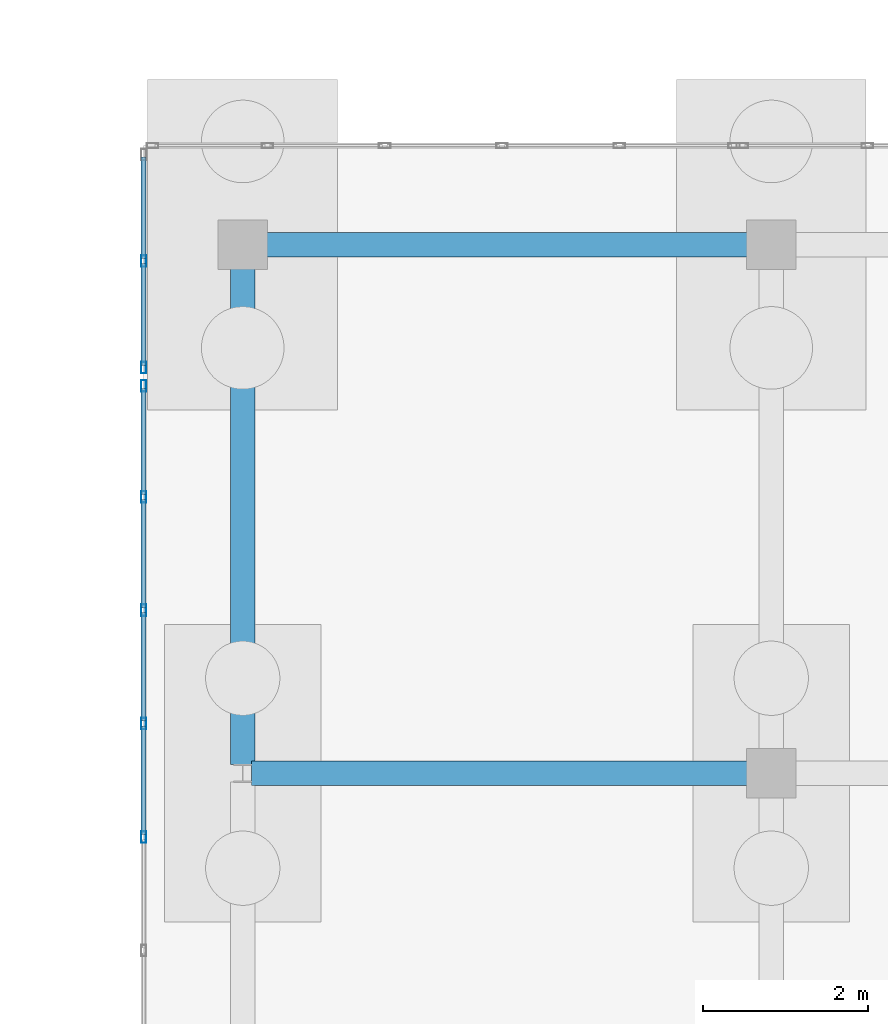
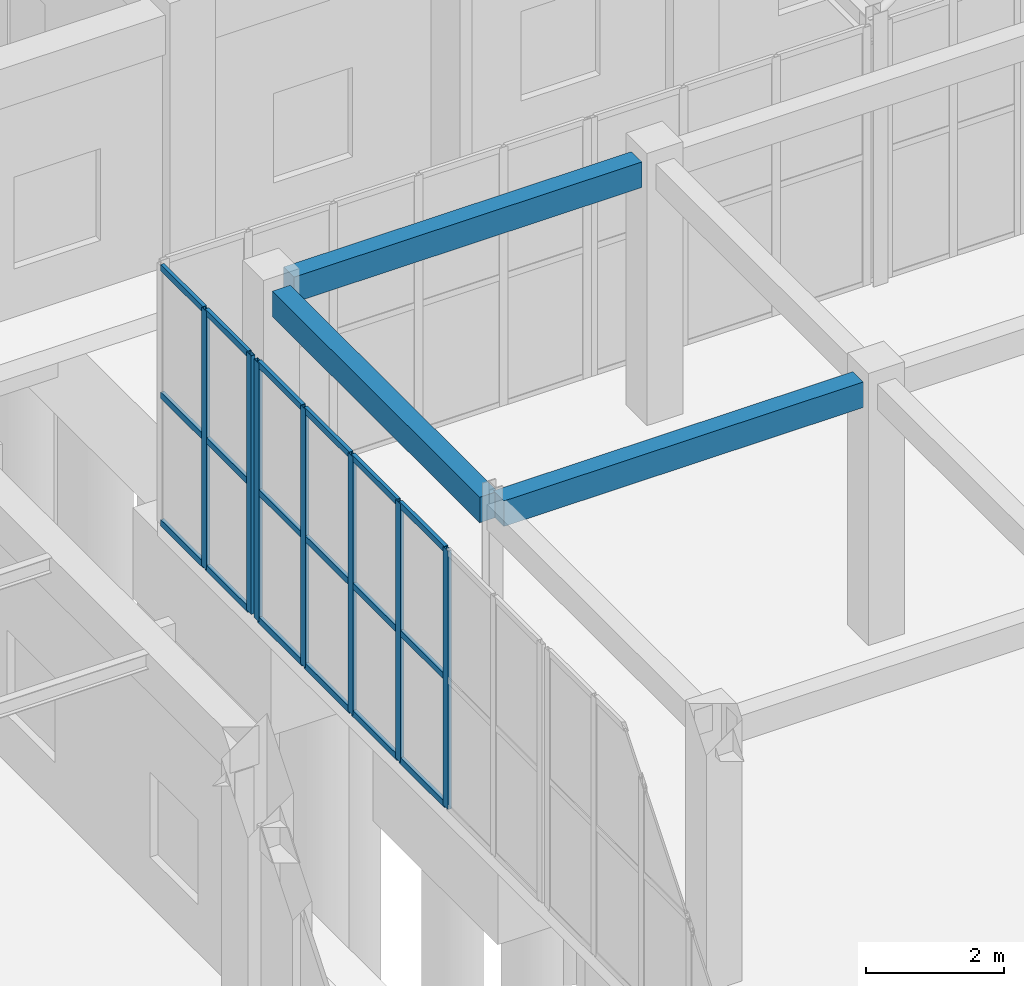
# One storey, part 88 of 192: 25 members, 3 beams, 2 elements without a shape of their own.
"""IFC4 building model written with IfcOpenShell, lengths in metres."""

from ifc_helpers import new_model, si_unit, direction, frame, origin, origin_2d, place, context, subcontext, project, spatial, rectangle, hollow_rectangle, extrude, material, layer, layer_set, material_profile, profile_set, type_object, element, aggregate, save


model = new_model("IFC4")

# Units and contexts
model_context = context("Model", 3, precision=1e-05, world=origin(), true_north=direction((0.0, 1.0)))
body_context = subcontext(model_context, "Body", "Model", "MODEL_VIEW")
ifc_project = project(units=[si_unit("LENGTHUNIT", "METRE"), si_unit("AREAUNIT", "SQUARE_METRE"), si_unit("VOLUMEUNIT", "CUBIC_METRE"), si_unit("PLANEANGLEUNIT", "RADIAN"), si_unit("MASSUNIT", "GRAM", prefix="KILO")], contexts=[model_context])

# Site, building, storey
site_placement = place(None, origin())
site = spatial("IfcSite", under=ifc_project, at=site_placement, CompositionType="ELEMENT")
building_placement = place(site_placement, origin())
building = spatial("IfcBuilding", under=site, at=building_placement, Name="Trelvath General Hospital", CompositionType="ELEMENT")
storey_placement = place(building_placement, origin())
storey = spatial("IfcBuildingStorey", under=building, at=storey_placement, Name="L00", CompositionType="ELEMENT", Elevation=0.0)

# Beams
ifc_material_1 = material(Name="Concrete C35/45", Category="concrete")
ifc_material_profile_1 = material_profile(ifc_material_1, rectangle(XDim=0.300048828125, YDim=0.449951171875, at=origin_2d()), Name="RCB300x450")
ifc_profile_set_1 = profile_set([ifc_material_profile_1], Name="Concrete C35/45")
beam_type = type_object("IfcBeamType", Name="Beam RC300x450", PredefinedType="BEAM", material=ifc_profile_set_1)
beam_1_placement = place(storey_placement, frame((48.10595703125, 79.199951171875, 4.3349609375), z_axis=(1.0, 0.0, 0.0), x_axis=(0.0, 1.0, 0.0)))
element("IfcBeam", 1, at=beam_1_placement, inside=storey, type_object=beam_type, Name="Cube Interior Ring Beam CUBE-W-T0 L00", PredefinedType="BEAM", context=body_context, shape_type="SweptSolid", body=[
    extrude(rectangle(XDim=0.300048828125, YDim=0.449951171875, at=origin_2d()), origin(), (0.0, 0.0, 1.0), 5.998046875),
])
beam_2_placement = place(storey_placement, frame((48.2958984375, 85.60009765625, 4.3349609375), z_axis=(1.0, 0.0, 0.0), x_axis=(0.0, 1.0, 0.0)))
element("IfcBeam", 2, at=beam_2_placement, inside=storey, type_object=beam_type, Name="Cube Interior Ring Beam CUBE-W-T0 L00", PredefinedType="BEAM", context=body_context, shape_type="SweptSolid", body=[
    extrude(rectangle(XDim=0.300048828125, YDim=0.449951171875, at=origin_2d()), origin(), (0.0, 0.0, 1.0), 5.80810546875),
])
beam_3_placement = place(storey_placement, frame((48.0, 79.305908203125, 4.3349609375), z_axis=(0.0, 1.0, 0.0), x_axis=(-1.0, 0.0, 0.0)))
element("IfcBeam", 3, at=beam_3_placement, inside=storey, type_object=beam_type, Name="Cube Interior Ring Beam CUBE-W-T0 L00", PredefinedType="BEAM", context=body_context, shape_type="SweptSolid", body=[
    extrude(rectangle(XDim=0.300048828125, YDim=0.449951171875, at=origin_2d()), origin(), (0.0, 0.0, 1.0), 5.998046875),
])

# Curtain wall, members
ifc_material_2 = material(Name="Anodised aluminium and low-E glass", Category="aluminium")
ifc_layer_1 = layer(ifc_material_2, 0.139892578125)
ifc_layer_set_1 = layer_set([ifc_layer_1], Name="Anodised aluminium and low-E glass")
curtain_wall_type_1 = type_object("IfcCurtainWallType", Name="CW CrystalCube 824 456 14", PredefinedType="USERDEFINED", material=ifc_layer_set_1)
curtain_wall_1_placement = place(storey_placement, origin())
curtain_wall_1 = element("IfcCurtainWall", 4, at=curtain_wall_1_placement, inside=storey, type_object=curtain_wall_type_1, Name="Crystal Cube Curtain Wall CUBE-W-T0 W6 L00", ObjectType="Unitised Glazed Curtain Wall", PredefinedType="USERDEFINED")
ifc_material_3 = material(Name="Anodised aluminium", Category="aluminium")
ifc_material_profile_2 = material_profile(ifc_material_3, hollow_rectangle(XDim=0.06005859375, YDim=0.139892578125, WallThickness=0.00390625, at=origin_2d()), Name="RHS60x140x4")
ifc_profile_set_2 = profile_set([ifc_material_profile_2], Name="Anodised aluminium")
member_type_1 = type_object("IfcMemberType", Name="CurtainMullion 60x140", PredefinedType="MULLION", material=ifc_profile_set_2)
member_1_placement = place(storey_placement, frame((46.800048828125, 78.4267578125, 0.0), z_axis=(0.0, 0.0, 1.0), x_axis=(-1.0, 0.0, 0.0)))
member_1 = element("IfcMember", 5, at=member_1_placement, type_object=member_type_1, Name="CW-102 mullion 3", PredefinedType="MULLION", context=body_context, shape_type="SweptSolid", body=[
    extrude(hollow_rectangle(XDim=0.06005859375, YDim=0.139892578125, WallThickness=0.00390625, at=origin_2d()), origin(), (0.0, 0.0, 1.0), 4.56005859375),
])
member_2_placement = place(storey_placement, frame((46.800048828125, 79.800048828125, 0.0), z_axis=(0.0, 0.0, 1.0), x_axis=(-1.0, 0.0, 0.0)))
member_2 = element("IfcMember", 6, at=member_2_placement, type_object=member_type_1, Name="CW-102 mullion 4", PredefinedType="MULLION", context=body_context, shape_type="SweptSolid", body=[
    extrude(hollow_rectangle(XDim=0.06005859375, YDim=0.139892578125, WallThickness=0.00390625, at=origin_2d()), origin(), (0.0, 0.0, 1.0), 4.56005859375),
])
member_3_placement = place(storey_placement, frame((46.800048828125, 81.17333984375, 0.0), z_axis=(0.0, 0.0, 1.0), x_axis=(-1.0, 0.0, 0.0)))
member_3 = element("IfcMember", 7, at=member_3_placement, type_object=member_type_1, Name="CW-102 mullion 5", PredefinedType="MULLION", context=body_context, shape_type="SweptSolid", body=[
    extrude(hollow_rectangle(XDim=0.06005859375, YDim=0.139892578125, WallThickness=0.00390625, at=origin_2d()), origin(), (0.0, 0.0, 1.0), 4.56005859375),
])
member_4_placement = place(storey_placement, frame((46.800048828125, 82.546630859375, 0.0), z_axis=(0.0, 0.0, 1.0), x_axis=(-1.0, 0.0, 0.0)))
member_4 = element("IfcMember", 8, at=member_4_placement, type_object=member_type_1, Name="CW-102 mullion 6", PredefinedType="MULLION", context=body_context, shape_type="SweptSolid", body=[
    extrude(hollow_rectangle(XDim=0.06005859375, YDim=0.139892578125, WallThickness=0.00390625, at=origin_2d()), origin(), (0.0, 0.0, 1.0), 4.56005859375),
])
member_5_placement = place(storey_placement, frame((46.800048828125, 83.889892578125, 0.0), z_axis=(0.0, 0.0, 1.0), x_axis=(-1.0, 0.0, 0.0)))
member_5 = element("IfcMember", 9, at=member_5_placement, type_object=member_type_1, Name="CW-102 mullion 7", PredefinedType="MULLION", context=body_context, shape_type="SweptSolid", body=[
    extrude(hollow_rectangle(XDim=0.06005859375, YDim=0.139892578125, WallThickness=0.00390625, at=origin_2d()), origin(), (0.0, 0.0, 1.0), 4.56005859375),
])

ifc_material_4 = material(Name="Anodised aluminium and low-E glass", Category="aluminium")
ifc_layer_2 = layer(ifc_material_4, 0.139892578125)
ifc_layer_set_2 = layer_set([ifc_layer_2], Name="Anodised aluminium and low-E glass")
curtain_wall_type_2 = type_object("IfcCurtainWallType", Name="CW CrystalCube 264 456 14", PredefinedType="USERDEFINED", material=ifc_layer_set_2)
curtain_wall_2_placement = place(storey_placement, origin())
curtain_wall_2 = element("IfcCurtainWall", 10, at=curtain_wall_2_placement, inside=storey, type_object=curtain_wall_type_2, Name="Crystal Cube Curtain Wall CUBE-W-T0 W7 L00", ObjectType="Unitised Glazed Curtain Wall", PredefinedType="USERDEFINED")
member_6_placement = place(storey_placement, frame((46.800048828125, 84.110107421875, 0.0), z_axis=(0.0, 0.0, 1.0), x_axis=(-1.0, 0.0, 0.0)))
member_6 = element("IfcMember", 11, at=member_6_placement, type_object=member_type_1, Name="CW-104 mullion 1", PredefinedType="MULLION", context=body_context, shape_type="SweptSolid", body=[
    extrude(hollow_rectangle(XDim=0.06005859375, YDim=0.139892578125, WallThickness=0.00390625, at=origin_2d()), origin(), (0.0, 0.0, 1.0), 4.56005859375),
])
member_7_placement = place(storey_placement, frame((46.800048828125, 85.39990234375, 0.0), z_axis=(0.0, 0.0, 1.0), x_axis=(-1.0, 0.0, 0.0)))
member_7 = element("IfcMember", 12, at=member_7_placement, type_object=member_type_1, Name="CW-104 mullion 2", PredefinedType="MULLION", context=body_context, shape_type="SweptSolid", body=[
    extrude(hollow_rectangle(XDim=0.06005859375, YDim=0.139892578125, WallThickness=0.00390625, at=origin_2d()), origin(), (0.0, 0.0, 1.0), 4.56005859375),
])

# Member
ifc_material_5 = material(Name="Anodised aluminium", Category="aluminium")
ifc_material_profile_3 = material_profile(ifc_material_5, hollow_rectangle(XDim=0.06005859375, YDim=0.110107421875, WallThickness=0.00390625, at=origin_2d()), Name="RHS60x110x4")
ifc_profile_set_3 = profile_set([ifc_material_profile_3], Name="Anodised aluminium")
member_type_2 = type_object("IfcMemberType", Name="CurtainTransom 60x110", PredefinedType="USERDEFINED", material=ifc_profile_set_3)
member_8_placement = place(storey_placement, frame((46.800048828125, 78.456787109375, 0.030029296875), z_axis=(0.0, 1.0, 0.0), x_axis=(-1.0, 0.0, 0.0)))
member_8 = element("IfcMember", 13, at=member_8_placement, type_object=member_type_2, Name="CW-102 transom 3.1", ObjectType="TRANSOM", PredefinedType="USERDEFINED", context=body_context, shape_type="SweptSolid", body=[
    extrude(hollow_rectangle(XDim=0.06005859375, YDim=0.110107421875, WallThickness=0.00390625, at=origin_2d()), origin(), (0.0, 0.0, 1.0), 1.313232421875),
])

member_9_placement = place(storey_placement, frame((46.800048828125, 78.456787109375, 2.280029296875), z_axis=(0.0, 1.0, 0.0), x_axis=(-1.0, 0.0, 0.0)))
member_9 = element("IfcMember", 14, at=member_9_placement, type_object=member_type_2, Name="CW-102 transom 3.2", ObjectType="TRANSOM", PredefinedType="USERDEFINED", context=body_context, shape_type="SweptSolid", body=[
    extrude(hollow_rectangle(XDim=0.06005859375, YDim=0.110107421875, WallThickness=0.00390625, at=origin_2d()), origin(), (0.0, 0.0, 1.0), 1.313232421875),
])

member_10_placement = place(storey_placement, frame((46.800048828125, 78.456787109375, 4.530029296875), z_axis=(0.0, 1.0, 0.0), x_axis=(-1.0, 0.0, 0.0)))
member_10 = element("IfcMember", 15, at=member_10_placement, type_object=member_type_2, Name="CW-102 transom 3.3", ObjectType="TRANSOM", PredefinedType="USERDEFINED", context=body_context, shape_type="SweptSolid", body=[
    extrude(hollow_rectangle(XDim=0.06005859375, YDim=0.110107421875, WallThickness=0.00390625, at=origin_2d()), origin(), (0.0, 0.0, 1.0), 1.313232421875),
])

member_11_placement = place(storey_placement, frame((46.800048828125, 79.830078125, 0.030029296875), z_axis=(0.0, 1.0, 0.0), x_axis=(-1.0, 0.0, 0.0)))
member_11 = element("IfcMember", 16, at=member_11_placement, type_object=member_type_2, Name="CW-102 transom 4.1", ObjectType="TRANSOM", PredefinedType="USERDEFINED", context=body_context, shape_type="SweptSolid", body=[
    extrude(hollow_rectangle(XDim=0.06005859375, YDim=0.110107421875, WallThickness=0.00390625, at=origin_2d()), origin(), (0.0, 0.0, 1.0), 1.313232421875),
])

member_12_placement = place(storey_placement, frame((46.800048828125, 79.830078125, 2.280029296875), z_axis=(0.0, 1.0, 0.0), x_axis=(-1.0, 0.0, 0.0)))
member_12 = element("IfcMember", 17, at=member_12_placement, type_object=member_type_2, Name="CW-102 transom 4.2", ObjectType="TRANSOM", PredefinedType="USERDEFINED", context=body_context, shape_type="SweptSolid", body=[
    extrude(hollow_rectangle(XDim=0.06005859375, YDim=0.110107421875, WallThickness=0.00390625, at=origin_2d()), origin(), (0.0, 0.0, 1.0), 1.313232421875),
])

member_13_placement = place(storey_placement, frame((46.800048828125, 79.830078125, 4.530029296875), z_axis=(0.0, 1.0, 0.0), x_axis=(-1.0, 0.0, 0.0)))
member_13 = element("IfcMember", 18, at=member_13_placement, type_object=member_type_2, Name="CW-102 transom 4.3", ObjectType="TRANSOM", PredefinedType="USERDEFINED", context=body_context, shape_type="SweptSolid", body=[
    extrude(hollow_rectangle(XDim=0.06005859375, YDim=0.110107421875, WallThickness=0.00390625, at=origin_2d()), origin(), (0.0, 0.0, 1.0), 1.313232421875),
])

member_14_placement = place(storey_placement, frame((46.800048828125, 81.203369140625, 0.030029296875), z_axis=(0.0, 1.0, 0.0), x_axis=(-1.0, 0.0, 0.0)))
member_14 = element("IfcMember", 19, at=member_14_placement, type_object=member_type_2, Name="CW-102 transom 5.1", ObjectType="TRANSOM", PredefinedType="USERDEFINED", context=body_context, shape_type="SweptSolid", body=[
    extrude(hollow_rectangle(XDim=0.06005859375, YDim=0.110107421875, WallThickness=0.00390625, at=origin_2d()), origin(), (0.0, 0.0, 1.0), 1.313232421875),
])

member_15_placement = place(storey_placement, frame((46.800048828125, 81.203369140625, 2.280029296875), z_axis=(0.0, 1.0, 0.0), x_axis=(-1.0, 0.0, 0.0)))
member_15 = element("IfcMember", 20, at=member_15_placement, type_object=member_type_2, Name="CW-102 transom 5.2", ObjectType="TRANSOM", PredefinedType="USERDEFINED", context=body_context, shape_type="SweptSolid", body=[
    extrude(hollow_rectangle(XDim=0.06005859375, YDim=0.110107421875, WallThickness=0.00390625, at=origin_2d()), origin(), (0.0, 0.0, 1.0), 1.313232421875),
])

member_16_placement = place(storey_placement, frame((46.800048828125, 81.203369140625, 4.530029296875), z_axis=(0.0, 1.0, 0.0), x_axis=(-1.0, 0.0, 0.0)))
member_16 = element("IfcMember", 21, at=member_16_placement, type_object=member_type_2, Name="CW-102 transom 5.3", ObjectType="TRANSOM", PredefinedType="USERDEFINED", context=body_context, shape_type="SweptSolid", body=[
    extrude(hollow_rectangle(XDim=0.06005859375, YDim=0.110107421875, WallThickness=0.00390625, at=origin_2d()), origin(), (0.0, 0.0, 1.0), 1.313232421875),
])

member_17_placement = place(storey_placement, frame((46.800048828125, 82.57666015625, 0.030029296875), z_axis=(0.0, 1.0, 0.0), x_axis=(-1.0, 0.0, 0.0)))
member_17 = element("IfcMember", 22, at=member_17_placement, type_object=member_type_2, Name="CW-102 transom 6.1", ObjectType="TRANSOM", PredefinedType="USERDEFINED", context=body_context, shape_type="SweptSolid", body=[
    extrude(hollow_rectangle(XDim=0.06005859375, YDim=0.110107421875, WallThickness=0.00390625, at=origin_2d()), origin(), (0.0, 0.0, 1.0), 1.283447265625),
])

member_18_placement = place(storey_placement, frame((46.800048828125, 82.57666015625, 2.280029296875), z_axis=(0.0, 1.0, 0.0), x_axis=(-1.0, 0.0, 0.0)))
member_18 = element("IfcMember", 23, at=member_18_placement, type_object=member_type_2, Name="CW-102 transom 6.2", ObjectType="TRANSOM", PredefinedType="USERDEFINED", context=body_context, shape_type="SweptSolid", body=[
    extrude(hollow_rectangle(XDim=0.06005859375, YDim=0.110107421875, WallThickness=0.00390625, at=origin_2d()), origin(), (0.0, 0.0, 1.0), 1.283447265625),
])

member_19_placement = place(storey_placement, frame((46.800048828125, 82.57666015625, 4.530029296875), z_axis=(0.0, 1.0, 0.0), x_axis=(-1.0, 0.0, 0.0)))
member_19 = element("IfcMember", 24, at=member_19_placement, type_object=member_type_2, Name="CW-102 transom 6.3", ObjectType="TRANSOM", PredefinedType="USERDEFINED", context=body_context, shape_type="SweptSolid", body=[
    extrude(hollow_rectangle(XDim=0.06005859375, YDim=0.110107421875, WallThickness=0.00390625, at=origin_2d()), origin(), (0.0, 0.0, 1.0), 1.283447265625),
])

aggregate(curtain_wall_1, [member_1, member_2, member_3, member_4, member_5, member_8, member_9, member_10, member_11, member_12, member_13, member_14, member_15, member_16, member_17, member_18, member_19])

member_20_placement = place(storey_placement, frame((46.800048828125, 84.139892578125, 0.030029296875), z_axis=(0.0, 1.0, 0.0), x_axis=(-1.0, 0.0, 0.0)))
member_20 = element("IfcMember", 25, at=member_20_placement, type_object=member_type_2, Name="CW-104 transom 1.1", ObjectType="TRANSOM", PredefinedType="USERDEFINED", context=body_context, shape_type="SweptSolid", body=[
    extrude(hollow_rectangle(XDim=0.06005859375, YDim=0.110107421875, WallThickness=0.00390625, at=origin_2d()), origin(), (0.0, 0.0, 1.0), 1.230224609375),
])

member_21_placement = place(storey_placement, frame((46.800048828125, 84.139892578125, 2.280029296875), z_axis=(0.0, 1.0, 0.0), x_axis=(-1.0, 0.0, 0.0)))
member_21 = element("IfcMember", 26, at=member_21_placement, type_object=member_type_2, Name="CW-104 transom 1.2", ObjectType="TRANSOM", PredefinedType="USERDEFINED", context=body_context, shape_type="SweptSolid", body=[
    extrude(hollow_rectangle(XDim=0.06005859375, YDim=0.110107421875, WallThickness=0.00390625, at=origin_2d()), origin(), (0.0, 0.0, 1.0), 1.230224609375),
])

member_22_placement = place(storey_placement, frame((46.800048828125, 84.139892578125, 4.530029296875), z_axis=(0.0, 1.0, 0.0), x_axis=(-1.0, 0.0, 0.0)))
member_22 = element("IfcMember", 27, at=member_22_placement, type_object=member_type_2, Name="CW-104 transom 1.3", ObjectType="TRANSOM", PredefinedType="USERDEFINED", context=body_context, shape_type="SweptSolid", body=[
    extrude(hollow_rectangle(XDim=0.06005859375, YDim=0.110107421875, WallThickness=0.00390625, at=origin_2d()), origin(), (0.0, 0.0, 1.0), 1.230224609375),
])

member_23_placement = place(storey_placement, frame((46.800048828125, 85.429931640625, 0.030029296875), z_axis=(0.0, 1.0, 0.0), x_axis=(-1.0, 0.0, 0.0)))
member_23 = element("IfcMember", 28, at=member_23_placement, type_object=member_type_2, Name="CW-104 transom 2.1", ObjectType="TRANSOM", PredefinedType="USERDEFINED", context=body_context, shape_type="SweptSolid", body=[
    extrude(hollow_rectangle(XDim=0.06005859375, YDim=0.110107421875, WallThickness=0.00390625, at=origin_2d()), origin(), (0.0, 0.0, 1.0), 1.22998046875),
])

member_24_placement = place(storey_placement, frame((46.800048828125, 85.429931640625, 2.280029296875), z_axis=(0.0, 1.0, 0.0), x_axis=(-1.0, 0.0, 0.0)))
member_24 = element("IfcMember", 29, at=member_24_placement, type_object=member_type_2, Name="CW-104 transom 2.2", ObjectType="TRANSOM", PredefinedType="USERDEFINED", context=body_context, shape_type="SweptSolid", body=[
    extrude(hollow_rectangle(XDim=0.06005859375, YDim=0.110107421875, WallThickness=0.00390625, at=origin_2d()), origin(), (0.0, 0.0, 1.0), 1.22998046875),
])

member_25_placement = place(storey_placement, frame((46.800048828125, 85.429931640625, 4.530029296875), z_axis=(0.0, 1.0, 0.0), x_axis=(-1.0, 0.0, 0.0)))
member_25 = element("IfcMember", 30, at=member_25_placement, type_object=member_type_2, Name="CW-104 transom 2.3", ObjectType="TRANSOM", PredefinedType="USERDEFINED", context=body_context, shape_type="SweptSolid", body=[
    extrude(hollow_rectangle(XDim=0.06005859375, YDim=0.110107421875, WallThickness=0.00390625, at=origin_2d()), origin(), (0.0, 0.0, 1.0), 1.22998046875),
])

aggregate(curtain_wall_2, [member_6, member_7, member_20, member_21, member_22, member_23, member_24, member_25])

save(model, "model.ifc")
